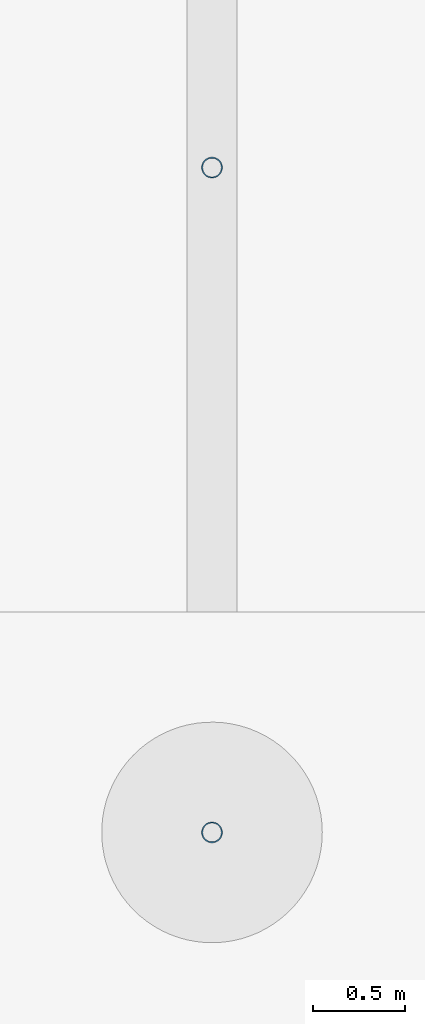
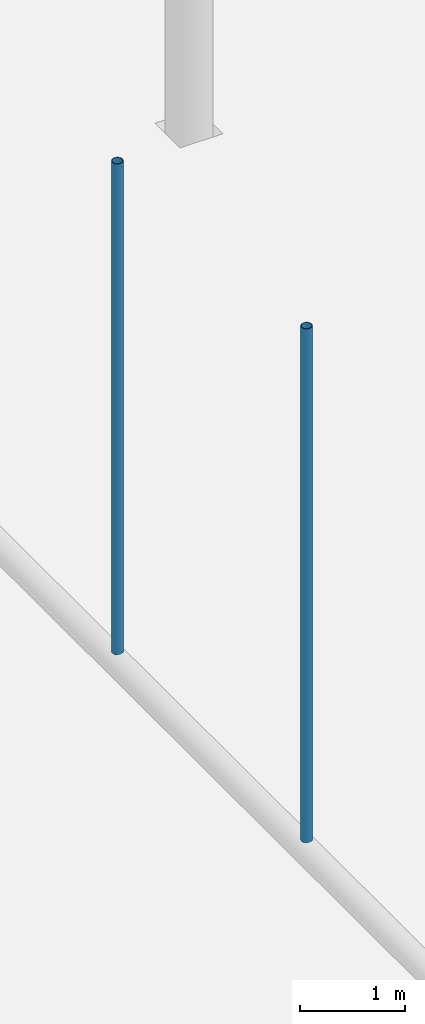
# One storey, part 54 of 212: 2 members.
"""IFC4 building model written with IfcOpenShell, lengths in metres."""

from ifc_helpers import new_model, si_unit, direction, frame, origin, origin_2d, place, context, subcontext, project, spatial, hollow_circle, extrude, material, material_profile, profile_set, type_object, element, save


model = new_model("IFC4")

# Units and contexts
model_context = context("Model", 3, precision=1e-05, world=origin(), true_north=direction((0.0, 1.0)))
body_context = subcontext(model_context, "Body", "Model", "MODEL_VIEW")
ifc_project = project(units=[si_unit("LENGTHUNIT", "METRE"), si_unit("AREAUNIT", "SQUARE_METRE"), si_unit("VOLUMEUNIT", "CUBIC_METRE"), si_unit("PLANEANGLEUNIT", "RADIAN"), si_unit("MASSUNIT", "GRAM", prefix="KILO")], contexts=[model_context])

# Site, building, storey
site_placement = place(None, origin())
site = spatial("IfcSite", under=ifc_project, at=site_placement, CompositionType="ELEMENT")
building_placement = place(site_placement, origin())
building = spatial("IfcBuilding", under=site, at=building_placement, Name="Catenary Quay Ferry Terminal", CompositionType="ELEMENT")
storey_placement = place(building_placement, origin())
storey = spatial("IfcBuildingStorey", under=building, at=storey_placement, Name="L00", CompositionType="ELEMENT", Elevation=0.0)

# Members
ifc_material = material(Name="Steel S355", Category="steel")
ifc_material_profile = material_profile(ifc_material, hollow_circle(Radius=0.05712890625, WallThickness=0.00634765625, at=origin_2d()), Name="CHS 114.3x6.3")
ifc_profile_set = profile_set([ifc_material_profile], Name="Steel S355")
member_type = type_object("IfcMemberType", Name="HG1 CHS 114.3x6.3", PredefinedType="POST", material=ifc_profile_set)
member_1_placement = place(storey_placement, frame((50.39990234375, 33.60009765625, 4.830078125), z_axis=(0.0, 0.0, 1.0), x_axis=(1.0, 0.0, 0.0)))
element("IfcMember", 1, at=member_1_placement, inside=storey, type_object=member_type, Name="Hanger CA-05-05", PredefinedType="POST", context=body_context, shape_type="SweptSolid", body=[
    extrude(hollow_circle(Radius=0.05712890625, WallThickness=0.00634765625, at=origin_2d()), origin(), (0.0, 0.0, 1.0), 5.997802734375),
])
member_2_placement = place(storey_placement, frame((50.39990234375, 37.218017578125, 4.830078125), z_axis=(0.0, 0.0, 1.0), x_axis=(1.0, 0.0, 0.0)))
element("IfcMember", 2, at=member_2_placement, inside=storey, type_object=member_type, Name="Hanger CA-05-06", PredefinedType="POST", context=body_context, shape_type="SweptSolid", body=[
    extrude(hollow_circle(Radius=0.05712890625, WallThickness=0.00634765625, at=origin_2d()), origin(), (0.0, 0.0, 1.0), 5.72998046875),
])

save(model, "model.ifc")
